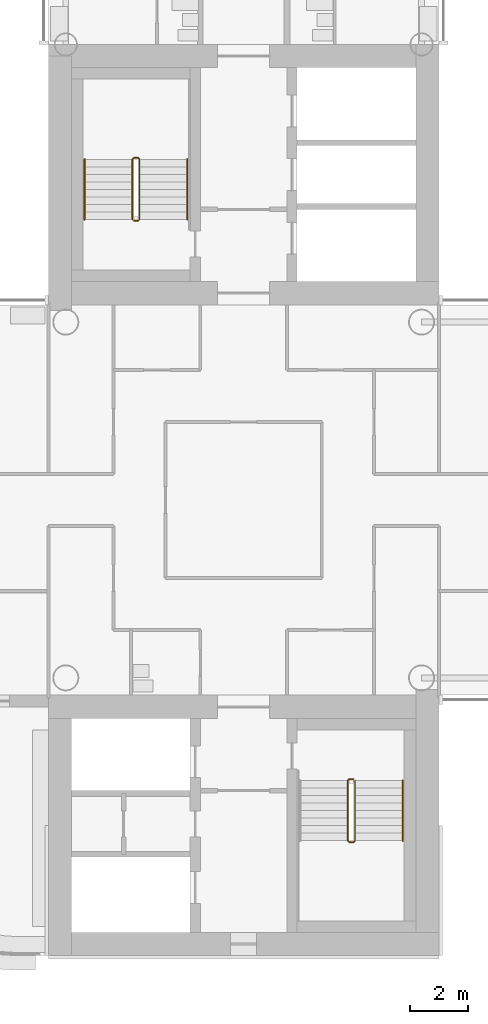
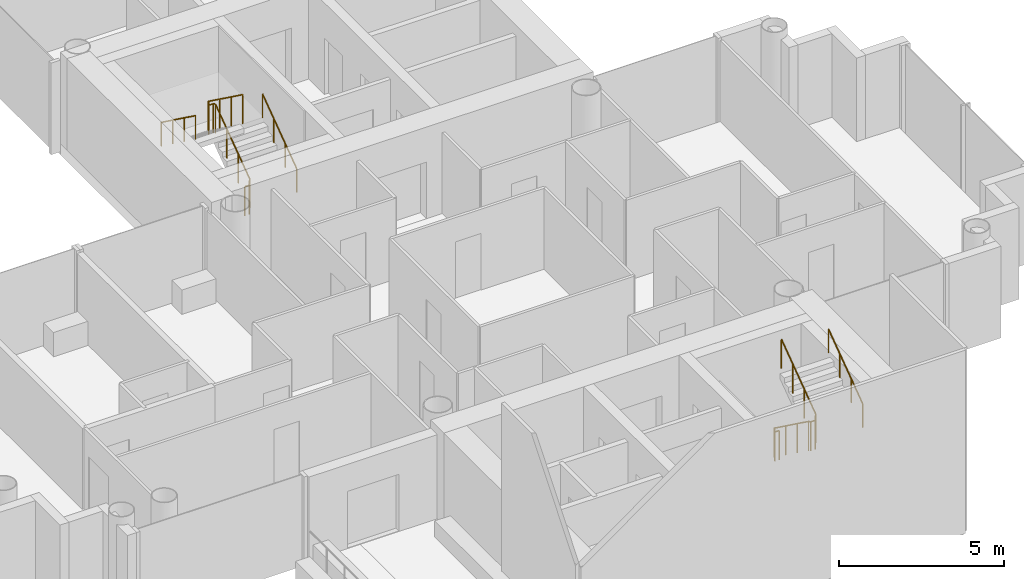
# One storey, part 18 of 19: 5 railings.
"""IFC4 building model written with IfcOpenShell, lengths in metres."""

from ifc_helpers import new_model, si_unit, direction, frame, origin, origin_2d, place, context, subcontext, project, spatial, circle, extrude, material, type_object, element, save


model = new_model("IFC4")

# Units and contexts
model_context = context("Model", 3, precision=1e-05, world=origin(), true_north=direction((0.0, 1.0)))
body_context = subcontext(model_context, "Body", "Model", "MODEL_VIEW")
ifc_project = project(units=[si_unit("LENGTHUNIT", "METRE"), si_unit("AREAUNIT", "SQUARE_METRE"), si_unit("VOLUMEUNIT", "CUBIC_METRE"), si_unit("PLANEANGLEUNIT", "RADIAN"), si_unit("MASSUNIT", "GRAM", prefix="KILO")], contexts=[model_context])

# Site, building, storey
site_placement = place(None, origin())
site = spatial("IfcSite", under=ifc_project, at=site_placement, CompositionType="ELEMENT")
building_placement = place(site_placement, origin())
building = spatial("IfcBuilding", under=site, at=building_placement, Name="Ipe Terrace Towers", CompositionType="ELEMENT")
storey_placement = place(building_placement, frame((0.0, 0.0, 174.5)))
storey = spatial("IfcBuildingStorey", under=building, at=storey_placement, Name="L48", CompositionType="ELEMENT", Elevation=174.5)

# Railings
ifc_material_1 = material(Name="Steel S355", Category="steel")
railing_type_1 = type_object("IfcRailingType", Name="Stair guard 1100", PredefinedType="GUARDRAIL", material=ifc_material_1)
railing_1_placement = place(storey_placement, frame((32.199951171875, 9.64990234375, 0.0)))
element("IfcRailing", 1, at=railing_1_placement, inside=storey, type_object=railing_type_1, Name="L48 T2-ST1 stair guard 1", PredefinedType="GUARDRAIL", context=body_context, shape_type="SweptSolid", body=[
    extrude(circle(Radius=0.02392578125, at=origin_2d()), frame((0.0, 0.0, 1.076171875), z_axis=(1.0, 0.0, 0.0), x_axis=(0.0, 1.0, 0.0)), (0.0, 0.0, 1.0), 0.150146484375),
    extrude(circle(Radius=0.02392578125, at=origin_2d()), frame((0.150146484375, 0.0, 1.076171875), z_axis=(0.246893586699, 0.248103849378, 0.936743314239), x_axis=(-0.708833529934, 0.705375805398, 0.0)), (0.0, 0.0, 1.0), 0.20166015625),
    extrude(circle(Radius=0.02392578125, at=origin_2d()), frame((0.199951171875, 0.050048828125, 1.26513671875), z_axis=(0.0, 0.809068575486, 0.587714250432), x_axis=(-1.0, 0.0, 0.0)), (0.0, 0.0, 1.0), 2.571044921875),
    extrude(circle(Radius=0.02392578125, at=origin_2d()), frame((0.199951171875, 2.130126953125, 2.77587890625), z_axis=(-0.705375805398, 0.708833529934, 0.0), x_axis=(-0.708833529934, -0.705375805398, 0.0)), (0.0, 0.0, 1.0), 0.070556640625),
    extrude(circle(Radius=0.02392578125, at=origin_2d()), frame((0.150146484375, 2.18017578125, 2.77587890625), z_axis=(-1.0, 0.0, 0.0), x_axis=(0.0, -1.0, 0.0)), (0.0, 0.0, 1.0), 0.150146484375),
    extrude(circle(Radius=0.02392578125, at=origin_2d()), frame((0.0, 2.18017578125, 2.77587890625), z_axis=(-0.248029566107, -0.248029566107, 0.936462849596), x_axis=(0.707106781187, -0.707106781187, 0.0)), (0.0, 0.0, 1.0), 0.201904296875),
    extrude(circle(Radius=0.02392578125, at=origin_2d()), frame((-0.050048828125, 2.130126953125, 2.96484375), z_axis=(0.0, -0.809068575486, 0.587714250432), x_axis=(1.0, 0.0, 0.0)), (0.0, 0.0, 1.0), 2.571044921875),
    extrude(circle(Radius=0.02099609375, at=origin_2d()), origin(), (0.0, 0.0, 1.0), 1.052001953125),
    extrude(circle(Radius=0.02099609375, at=origin_2d()), frame((0.150146484375, 0.0, 0.0)), (0.0, 0.0, 1.0), 1.052001953125),
    extrude(circle(Radius=0.02099609375, at=origin_2d()), frame((0.199951171875, 0.050048828125, 0.18896484375)), (0.0, 0.0, 1.0), 1.052001953125),
    extrude(circle(Radius=0.02099609375, at=origin_2d()), frame((0.199951171875, 0.743408203125, 0.692626953125)), (0.0, 0.0, 1.0), 1.052001953125),
    extrude(circle(Radius=0.02099609375, at=origin_2d()), frame((0.199951171875, 1.436767578125, 1.1962890625)), (0.0, 0.0, 1.0), 1.052001953125),
    extrude(circle(Radius=0.02099609375, at=origin_2d()), frame((0.199951171875, 2.130126953125, 1.699951171875)), (0.0, 0.0, 1.0), 1.052001953125),
    extrude(circle(Radius=0.02099609375, at=origin_2d()), frame((0.150146484375, 2.18017578125, 1.699951171875)), (0.0, 0.0, 1.0), 1.052001953125),
    extrude(circle(Radius=0.02099609375, at=origin_2d()), frame((0.0, 2.18017578125, 1.699951171875)), (0.0, 0.0, 1.0), 1.052001953125),
    extrude(circle(Radius=0.02099609375, at=origin_2d()), frame((-0.050048828125, 2.130126953125, 1.888916015625)), (0.0, 0.0, 1.0), 1.052001953125),
    extrude(circle(Radius=0.02099609375, at=origin_2d()), frame((-0.050048828125, 1.436767578125, 2.392578125)), (0.0, 0.0, 1.0), 1.052001953125),
    extrude(circle(Radius=0.02099609375, at=origin_2d()), frame((-0.050048828125, 0.743408203125, 2.896240234375)), (0.0, 0.0, 1.0), 1.052001953125),
    extrude(circle(Radius=0.02099609375, at=origin_2d()), frame((-0.050048828125, 0.050048828125, 3.39990234375)), (0.0, 0.0, 1.0), 1.052001953125),
])
railing_2_placement = place(storey_placement, frame((39.800048828125, -9.64990234375, 0.0)))
element("IfcRailing", 2, at=railing_2_placement, inside=storey, type_object=railing_type_1, Name="L48 T2-ST2 stair guard 1", PredefinedType="GUARDRAIL", context=body_context, shape_type="SweptSolid", body=[
    extrude(circle(Radius=0.02392578125, at=origin_2d()), frame((0.0, 0.0, 1.076171875), z_axis=(-1.0, 0.0, 0.0), x_axis=(0.0, -1.0, 0.0)), (0.0, 0.0, 1.0), 0.150146484375),
    extrude(circle(Radius=0.02392578125, at=origin_2d()), frame((-0.150146484375, 0.0, 1.076171875), z_axis=(-0.246893586699, -0.248103849378, 0.936743314239), x_axis=(0.708833529934, -0.705375805398, 0.0)), (0.0, 0.0, 1.0), 0.20166015625),
    extrude(circle(Radius=0.02392578125, at=origin_2d()), frame((-0.199951171875, -0.050048828125, 1.26513671875), z_axis=(0.0, -0.809068575486, 0.587714250432), x_axis=(1.0, 0.0, 0.0)), (0.0, 0.0, 1.0), 2.571044921875),
    extrude(circle(Radius=0.02392578125, at=origin_2d()), frame((-0.199951171875, -2.130126953125, 2.77587890625), z_axis=(0.705375805398, -0.708833529934, 0.0), x_axis=(0.708833529934, 0.705375805398, 0.0)), (0.0, 0.0, 1.0), 0.070556640625),
    extrude(circle(Radius=0.02392578125, at=origin_2d()), frame((-0.150146484375, -2.18017578125, 2.77587890625), z_axis=(1.0, 0.0, 0.0), x_axis=(0.0, 1.0, 0.0)), (0.0, 0.0, 1.0), 0.150146484375),
    extrude(circle(Radius=0.02392578125, at=origin_2d()), frame((0.0, -2.18017578125, 2.77587890625), z_axis=(0.248029566107, 0.248029566107, 0.936462849596), x_axis=(-0.707106781187, 0.707106781187, 0.0)), (0.0, 0.0, 1.0), 0.201904296875),
    extrude(circle(Radius=0.02392578125, at=origin_2d()), frame((0.050048828125, -2.130126953125, 2.96484375), z_axis=(0.0, 0.809068575486, 0.587714250432), x_axis=(-1.0, 0.0, 0.0)), (0.0, 0.0, 1.0), 2.571044921875),
    extrude(circle(Radius=0.02099609375, at=origin_2d()), origin(), (0.0, 0.0, 1.0), 1.052001953125),
    extrude(circle(Radius=0.02099609375, at=origin_2d()), frame((-0.150146484375, 0.0, 0.0)), (0.0, 0.0, 1.0), 1.052001953125),
    extrude(circle(Radius=0.02099609375, at=origin_2d()), frame((-0.199951171875, -0.050048828125, 0.18896484375)), (0.0, 0.0, 1.0), 1.052001953125),
    extrude(circle(Radius=0.02099609375, at=origin_2d()), frame((-0.199951171875, -0.743408203125, 0.692626953125)), (0.0, 0.0, 1.0), 1.052001953125),
    extrude(circle(Radius=0.02099609375, at=origin_2d()), frame((-0.199951171875, -1.436767578125, 1.1962890625)), (0.0, 0.0, 1.0), 1.052001953125),
    extrude(circle(Radius=0.02099609375, at=origin_2d()), frame((-0.199951171875, -2.130126953125, 1.699951171875)), (0.0, 0.0, 1.0), 1.052001953125),
    extrude(circle(Radius=0.02099609375, at=origin_2d()), frame((-0.150146484375, -2.18017578125, 1.699951171875)), (0.0, 0.0, 1.0), 1.052001953125),
    extrude(circle(Radius=0.02099609375, at=origin_2d()), frame((0.0, -2.18017578125, 1.699951171875)), (0.0, 0.0, 1.0), 1.052001953125),
    extrude(circle(Radius=0.02099609375, at=origin_2d()), frame((0.050048828125, -2.130126953125, 1.888916015625)), (0.0, 0.0, 1.0), 1.052001953125),
    extrude(circle(Radius=0.02099609375, at=origin_2d()), frame((0.050048828125, -1.436767578125, 2.392578125)), (0.0, 0.0, 1.0), 1.052001953125),
    extrude(circle(Radius=0.02099609375, at=origin_2d()), frame((0.050048828125, -0.743408203125, 2.896240234375)), (0.0, 0.0, 1.0), 1.052001953125),
    extrude(circle(Radius=0.02099609375, at=origin_2d()), frame((0.050048828125, -0.050048828125, 3.39990234375)), (0.0, 0.0, 1.0), 1.052001953125),
])
ifc_material_2 = material(Name="Stainless steel grade 304", Category="steel")
railing_type_2 = type_object("IfcRailingType", Name="Stair handrail 900", PredefinedType="HANDRAIL", material=ifc_material_2)
railing_3_placement = place(storey_placement, frame((34.050048828125, 9.699951171875, 0.18896484375)))
element("IfcRailing", 3, at=railing_3_placement, inside=storey, type_object=railing_type_2, Name="L48 T2-ST1 stair handrail 1", PredefinedType="HANDRAIL", context=body_context, shape_type="SweptSolid", body=[
    extrude(circle(Radius=0.02392578125, at=origin_2d()), frame((0.0, 0.0, 0.8759765625), z_axis=(0.0, 0.809068575486, 0.587714250432), x_axis=(-1.0, 0.0, 0.0)), (0.0, 0.0, 1.0), 2.571044921875),
    extrude(circle(Radius=0.02099609375, at=origin_2d()), origin(), (0.0, 0.0, 1.0), 0.851806640625),
    extrude(circle(Radius=0.02099609375, at=origin_2d()), frame((0.0, 0.693359375, 0.503662109375)), (0.0, 0.0, 1.0), 0.851806640625),
    extrude(circle(Radius=0.02099609375, at=origin_2d()), frame((0.0, 1.38671875, 1.00732421875)), (0.0, 0.0, 1.0), 0.851806640625),
    extrude(circle(Radius=0.02099609375, at=origin_2d()), frame((0.0, 2.080078125, 1.510986328125)), (0.0, 0.0, 1.0), 0.851806640625),
])
railing_4_placement = place(storey_placement, frame((30.5, 11.780029296875, 1.888916015625)))
element("IfcRailing", 4, at=railing_4_placement, inside=storey, type_object=railing_type_2, Name="L48 T2-ST1 stair handrail 2", PredefinedType="HANDRAIL", context=body_context, shape_type="SweptSolid", body=[
    extrude(circle(Radius=0.02392578125, at=origin_2d()), frame((0.0, 0.0, 0.8759765625), z_axis=(0.0, -0.809068575486, 0.587714250432), x_axis=(1.0, 0.0, 0.0)), (0.0, 0.0, 1.0), 2.571044921875),
    extrude(circle(Radius=0.02099609375, at=origin_2d()), origin(), (0.0, 0.0, 1.0), 0.851806640625),
    extrude(circle(Radius=0.02099609375, at=origin_2d()), frame((0.0, -0.693359375, 0.503662109375)), (0.0, 0.0, 1.0), 0.851806640625),
    extrude(circle(Radius=0.02099609375, at=origin_2d()), frame((0.0, -1.38671875, 1.00732421875)), (0.0, 0.0, 1.0), 0.851806640625),
    extrude(circle(Radius=0.02099609375, at=origin_2d()), frame((0.0, -2.080078125, 1.510986328125)), (0.0, 0.0, 1.0), 0.851806640625),
])
railing_5_placement = place(storey_placement, frame((41.5, -11.780029296875, 1.888916015625)))
element("IfcRailing", 5, at=railing_5_placement, inside=storey, type_object=railing_type_2, Name="L48 T2-ST2 stair handrail 2", PredefinedType="HANDRAIL", context=body_context, shape_type="SweptSolid", body=[
    extrude(circle(Radius=0.02392578125, at=origin_2d()), frame((0.0, 0.0, 0.8759765625), z_axis=(0.0, 0.809068575486, 0.587714250432), x_axis=(-1.0, 0.0, 0.0)), (0.0, 0.0, 1.0), 2.571044921875),
    extrude(circle(Radius=0.02099609375, at=origin_2d()), origin(), (0.0, 0.0, 1.0), 0.851806640625),
    extrude(circle(Radius=0.02099609375, at=origin_2d()), frame((0.0, 0.693359375, 0.503662109375)), (0.0, 0.0, 1.0), 0.851806640625),
    extrude(circle(Radius=0.02099609375, at=origin_2d()), frame((0.0, 1.38671875, 1.00732421875)), (0.0, 0.0, 1.0), 0.851806640625),
    extrude(circle(Radius=0.02099609375, at=origin_2d()), frame((0.0, 2.080078125, 1.510986328125)), (0.0, 0.0, 1.0), 0.851806640625),
])

save(model, "model.ifc")
